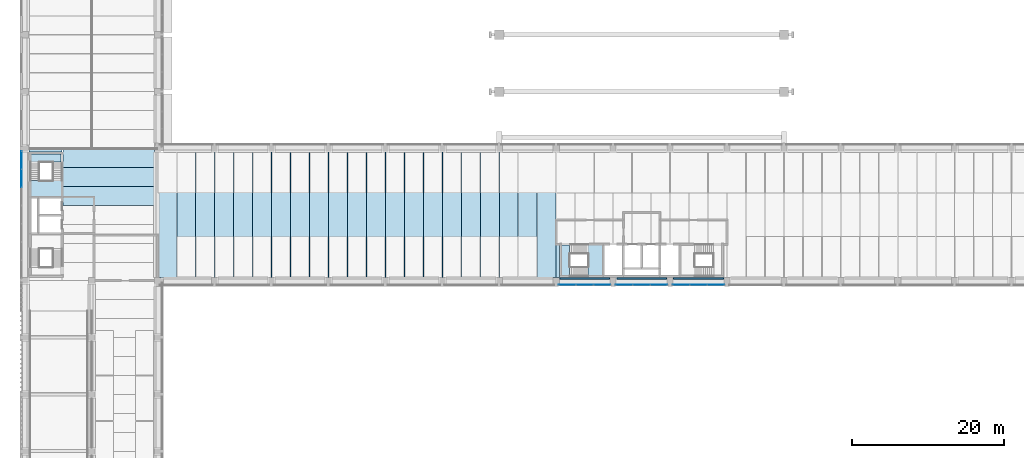
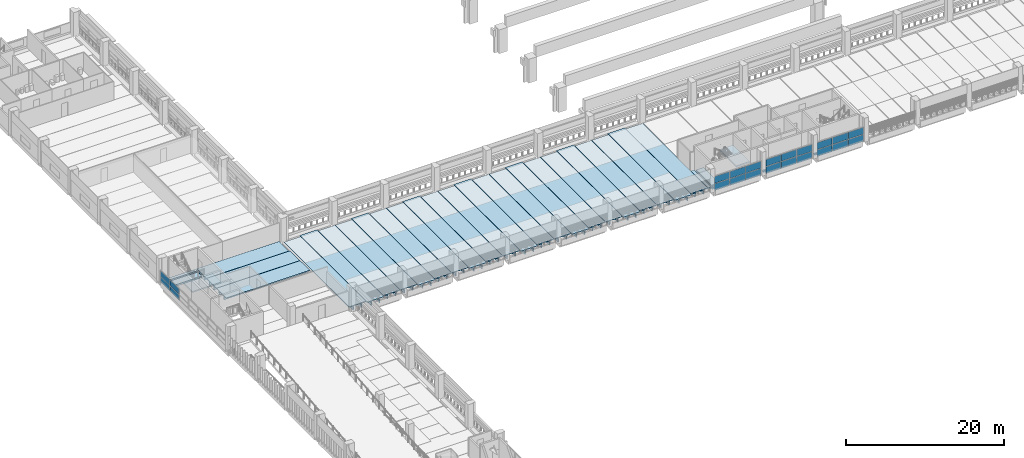
# One storey, part 26 of 61: 33 slabs, 22 plates, 6 elements without a shape of their own.
"""IFC4 building model written with IfcOpenShell, lengths in metres."""

from ifc_helpers import new_model, si_unit, direction, frame, origin, origin_2d, place, context, subcontext, project, spatial, polyline, rectangle, outline, extrude, material, layer, layer_set, material_profile, profile_set, type_object, element, aggregate, save


model = new_model("IFC4")

# Units and contexts
model_context = context("Model", 3, precision=1e-05, world=origin(), true_north=direction((0.0, 1.0)))
body_context = subcontext(model_context, "Body", "Model", "MODEL_VIEW")
ifc_project = project(units=[si_unit("LENGTHUNIT", "METRE"), si_unit("AREAUNIT", "SQUARE_METRE"), si_unit("VOLUMEUNIT", "CUBIC_METRE"), si_unit("PLANEANGLEUNIT", "RADIAN"), si_unit("MASSUNIT", "GRAM", prefix="KILO")], contexts=[model_context])

# Site, building, storey
site_placement = place(None, origin())
site = spatial("IfcSite", under=ifc_project, at=site_placement, CompositionType="ELEMENT")
building_placement = place(site_placement, origin())
building = spatial("IfcBuilding", under=site, at=building_placement, Name="Cour d'Honneur Mobility Palace", CompositionType="ELEMENT")
storey_placement = place(building_placement, frame((0.0, 0.0, 11.89990234375)))
storey = spatial("IfcBuildingStorey", under=building, at=storey_placement, Name="L03", CompositionType="ELEMENT", Elevation=11.89990234375)

# Slabs
ifc_material_1 = material(Name="Concrete C50", Category="concrete")
ifc_layer_1 = layer(ifc_material_1, 0.25)
ifc_layer_set_1 = layer_set([ifc_layer_1], Name="Concrete C50")
slab_type_1 = type_object("IfcSlabType", Name="Cast-in-place Slab 250", PredefinedType="FLOOR", material=ifc_layer_set_1)
slab_1_placement = place(storey_placement, frame((0.0, 0.0, -0.25)))
element("IfcSlab", 1, at=slab_1_placement, inside=storey, type_object=slab_type_1, Name="Cast-in-place slab S1 L03 core", PredefinedType="FLOOR", context=body_context, shape_type="SweptSolid", body=[
    extrude(outline(polyline([(0.449951171875, 61.949951171875), (0.449951171875, 62.39990234375), (4.800048828125, 62.39990234375), (4.800048828125, 61.949951171875), (0.449951171875, 61.949951171875)])), origin(), (0.0, 0.0, 1.0), 0.25),
])
slab_2_placement = place(storey_placement, frame((0.0, 0.0, -0.25)))
element("IfcSlab", 2, at=slab_2_placement, inside=storey, type_object=slab_type_1, Name="Cast-in-place slab S1 L03 core", PredefinedType="FLOOR", context=body_context, shape_type="SweptSolid", body=[
    extrude(outline(polyline([(4.675048828125, 60.625), (0.699951171875, 60.625), (0.699951171875, 61.699951171875), (4.675048828125, 61.699951171875), (4.675048828125, 60.625)])), origin(), (0.0, 0.0, 1.0), 0.25),
])
slab_3_placement = place(storey_placement, frame((0.0, 0.0, -0.25)))
element("IfcSlab", 3, at=slab_3_placement, inside=storey, type_object=slab_type_1, Name="Cast-in-place slab S1 L03 core", PredefinedType="FLOOR", context=body_context, shape_type="SweptSolid", body=[
    extrude(outline(polyline([(70.35009765625, 49.800048828125), (70.35009765625, 45.449951171875), (69.89990234375, 45.449951171875), (69.89990234375, 49.800048828125), (70.35009765625, 49.800048828125)])), origin(), (0.0, 0.0, 1.0), 0.25),
])
slab_4_placement = place(storey_placement, frame((0.0, 0.0, -0.25)))
element("IfcSlab", 4, at=slab_4_placement, inside=storey, type_object=slab_type_1, Name="Cast-in-place slab S1 L03 core", PredefinedType="FLOOR", context=body_context, shape_type="SweptSolid", body=[
    extrude(outline(polyline([(85.35009765625, 45.449951171875), (91.949951171875, 45.449951171875), (91.949951171875, 45.199951171875), (85.35009765625, 45.199951171875), (85.35009765625, 45.449951171875)])), origin(), (0.0, 0.0, 1.0), 0.25),
])
slab_5_placement = place(storey_placement, frame((0.0, 0.0, -0.25)))
element("IfcSlab", 5, at=slab_5_placement, inside=storey, type_object=slab_type_1, Name="Cast-in-place slab S1 L03 core", PredefinedType="FLOOR", context=body_context, shape_type="SweptSolid", body=[
    extrude(outline(polyline([(84.449951171875, 45.199951171875), (77.85009765625, 45.199951171875), (77.85009765625, 45.449951171875), (84.449951171875, 45.449951171875), (84.449951171875, 45.199951171875)])), origin(), (0.0, 0.0, 1.0), 0.25),
])
slab_6_placement = place(storey_placement, frame((0.0, 0.0, -0.25)))
element("IfcSlab", 6, at=slab_6_placement, inside=storey, type_object=slab_type_1, Name="Cast-in-place slab S1 L03 core", PredefinedType="FLOOR", context=body_context, shape_type="SweptSolid", body=[
    extrude(outline(polyline([(70.35009765625, 45.449951171875), (76.949951171875, 45.449951171875), (76.949951171875, 45.199951171875), (70.35009765625, 45.199951171875), (70.35009765625, 45.449951171875)])), origin(), (0.0, 0.0, 1.0), 0.25),
])
slab_7_placement = place(storey_placement, frame((0.0, 0.0, -0.25)))
element("IfcSlab", 7, at=slab_7_placement, inside=storey, type_object=slab_type_1, Name="Cast-in-place slab S1 L03 core", PredefinedType="FLOOR", context=body_context, shape_type="SweptSolid", body=[
    extrude(outline(polyline([(71.675048828125, 49.675048828125), (71.675048828125, 45.699951171875), (70.60009765625, 45.699951171875), (70.60009765625, 49.675048828125), (71.675048828125, 49.675048828125)])), origin(), (0.0, 0.0, 1.0), 0.25),
])

# Curtain wall, plates
ifc_material_2 = material(Name="Aluminium and glass", Category="aluminium")
ifc_layer_2 = layer(ifc_material_2, 0.10009765625)
ifc_layer_set_2 = layer_set([ifc_layer_2], Name="Aluminium and glass")
curtain_wall_type = type_object("IfcCurtainWallType", Name="Curtain wall run", PredefinedType="NOTDEFINED", material=ifc_layer_set_2)
curtain_wall_1_placement = place(storey_placement, origin())
curtain_wall_1 = element("IfcCurtainWall", 8, at=curtain_wall_1_placement, inside=storey, type_object=curtain_wall_type, Name="Curtain wall CW-78", PredefinedType="NOTDEFINED")
ifc_material_3 = material(Name="Double glazing", Category="glass")
ifc_layer_3 = layer(ifc_material_3, 0.028076171875)
ifc_layer_set_3 = layer_set([ifc_layer_3], Name="Double glazing")
plate_type = type_object("IfcPlateType", Name="Curtain wall panel", PredefinedType="CURTAIN_PANEL", material=ifc_layer_set_3)
plate_1_placement = place(storey_placement, frame((71.364990234375, 44.449951171875, 0.06005859375), z_axis=(0.0, 0.0, 1.0), x_axis=(1.0, 0.0, 0.0)))
plate_1 = element("IfcPlate", 9, at=plate_1_placement, type_object=plate_type, Name="CW-78 panel 1.1", PredefinedType="CURTAIN_PANEL", context=body_context, shape_type="SweptSolid", body=[
    extrude(rectangle(XDim=2.2099609375, YDim=0.028076171875, at=origin_2d()), origin(), (0.0, 0.0, 1.0), 1.06005859375),
])
plate_2_placement = place(storey_placement, frame((71.364990234375, 44.449951171875, 1.18017578125), z_axis=(0.0, 0.0, 1.0), x_axis=(1.0, 0.0, 0.0)))
plate_2 = element("IfcPlate", 10, at=plate_2_placement, type_object=plate_type, Name="CW-78 panel 1.2", PredefinedType="CURTAIN_PANEL", context=body_context, shape_type="SweptSolid", body=[
    extrude(rectangle(XDim=2.2099609375, YDim=0.028076171875, at=origin_2d()), origin(), (0.0, 0.0, 1.0), 1.06005859375),
])
plate_3_placement = place(storey_placement, frame((73.64990234375, 44.449951171875, 0.06005859375), z_axis=(0.0, 0.0, 1.0), x_axis=(1.0, 0.0, 0.0)))
plate_3 = element("IfcPlate", 11, at=plate_3_placement, type_object=plate_type, Name="CW-78 panel 2.1", PredefinedType="CURTAIN_PANEL", context=body_context, shape_type="SweptSolid", body=[
    extrude(rectangle(XDim=2.239990234375, YDim=0.028076171875, at=origin_2d()), origin(), (0.0, 0.0, 1.0), 1.06005859375),
])
plate_4_placement = place(storey_placement, frame((73.64990234375, 44.449951171875, 1.18017578125), z_axis=(0.0, 0.0, 1.0), x_axis=(1.0, 0.0, 0.0)))
plate_4 = element("IfcPlate", 12, at=plate_4_placement, type_object=plate_type, Name="CW-78 panel 2.2", PredefinedType="CURTAIN_PANEL", context=body_context, shape_type="SweptSolid", body=[
    extrude(rectangle(XDim=2.239990234375, YDim=0.028076171875, at=origin_2d()), origin(), (0.0, 0.0, 1.0), 1.06005859375),
])
plate_5_placement = place(storey_placement, frame((75.93505859375, 44.449951171875, 0.06005859375), z_axis=(0.0, 0.0, 1.0), x_axis=(1.0, 0.0, 0.0)))
plate_5 = element("IfcPlate", 13, at=plate_5_placement, type_object=plate_type, Name="CW-78 panel 3.1", PredefinedType="CURTAIN_PANEL", context=body_context, shape_type="SweptSolid", body=[
    extrude(rectangle(XDim=2.2099609375, YDim=0.028076171875, at=origin_2d()), origin(), (0.0, 0.0, 1.0), 1.06005859375),
])
plate_6_placement = place(storey_placement, frame((75.93505859375, 44.449951171875, 1.18017578125), z_axis=(0.0, 0.0, 1.0), x_axis=(1.0, 0.0, 0.0)))
plate_6 = element("IfcPlate", 14, at=plate_6_placement, type_object=plate_type, Name="CW-78 panel 3.2", PredefinedType="CURTAIN_PANEL", context=body_context, shape_type="SweptSolid", body=[
    extrude(rectangle(XDim=2.2099609375, YDim=0.028076171875, at=origin_2d()), origin(), (0.0, 0.0, 1.0), 1.06005859375),
])
aggregate(curtain_wall_1, [plate_1, plate_2, plate_3, plate_4, plate_5, plate_6])

curtain_wall_2_placement = place(storey_placement, origin())
curtain_wall_2 = element("IfcCurtainWall", 15, at=curtain_wall_2_placement, inside=storey, type_object=curtain_wall_type, Name="Curtain wall CW-79", PredefinedType="NOTDEFINED")
plate_7_placement = place(storey_placement, frame((78.864990234375, 44.449951171875, 0.06005859375), z_axis=(0.0, 0.0, 1.0), x_axis=(1.0, 0.0, 0.0)))
plate_7 = element("IfcPlate", 16, at=plate_7_placement, type_object=plate_type, Name="CW-79 panel 1.1", PredefinedType="CURTAIN_PANEL", context=body_context, shape_type="SweptSolid", body=[
    extrude(rectangle(XDim=2.2099609375, YDim=0.028076171875, at=origin_2d()), origin(), (0.0, 0.0, 1.0), 1.06005859375),
])
plate_8_placement = place(storey_placement, frame((78.864990234375, 44.449951171875, 1.18017578125), z_axis=(0.0, 0.0, 1.0), x_axis=(1.0, 0.0, 0.0)))
plate_8 = element("IfcPlate", 17, at=plate_8_placement, type_object=plate_type, Name="CW-79 panel 1.2", PredefinedType="CURTAIN_PANEL", context=body_context, shape_type="SweptSolid", body=[
    extrude(rectangle(XDim=2.2099609375, YDim=0.028076171875, at=origin_2d()), origin(), (0.0, 0.0, 1.0), 1.06005859375),
])
plate_9_placement = place(storey_placement, frame((81.14990234375, 44.449951171875, 0.06005859375), z_axis=(0.0, 0.0, 1.0), x_axis=(1.0, 0.0, 0.0)))
plate_9 = element("IfcPlate", 18, at=plate_9_placement, type_object=plate_type, Name="CW-79 panel 2.1", PredefinedType="CURTAIN_PANEL", context=body_context, shape_type="SweptSolid", body=[
    extrude(rectangle(XDim=2.239990234375, YDim=0.028076171875, at=origin_2d()), origin(), (0.0, 0.0, 1.0), 1.06005859375),
])
plate_10_placement = place(storey_placement, frame((81.14990234375, 44.449951171875, 1.18017578125), z_axis=(0.0, 0.0, 1.0), x_axis=(1.0, 0.0, 0.0)))
plate_10 = element("IfcPlate", 19, at=plate_10_placement, type_object=plate_type, Name="CW-79 panel 2.2", PredefinedType="CURTAIN_PANEL", context=body_context, shape_type="SweptSolid", body=[
    extrude(rectangle(XDim=2.239990234375, YDim=0.028076171875, at=origin_2d()), origin(), (0.0, 0.0, 1.0), 1.06005859375),
])
plate_11_placement = place(storey_placement, frame((83.43505859375, 44.449951171875, 0.06005859375), z_axis=(0.0, 0.0, 1.0), x_axis=(1.0, 0.0, 0.0)))
plate_11 = element("IfcPlate", 20, at=plate_11_placement, type_object=plate_type, Name="CW-79 panel 3.1", PredefinedType="CURTAIN_PANEL", context=body_context, shape_type="SweptSolid", body=[
    extrude(rectangle(XDim=2.2099609375, YDim=0.028076171875, at=origin_2d()), origin(), (0.0, 0.0, 1.0), 1.06005859375),
])
plate_12_placement = place(storey_placement, frame((83.43505859375, 44.449951171875, 1.18017578125), z_axis=(0.0, 0.0, 1.0), x_axis=(1.0, 0.0, 0.0)))
plate_12 = element("IfcPlate", 21, at=plate_12_placement, type_object=plate_type, Name="CW-79 panel 3.2", PredefinedType="CURTAIN_PANEL", context=body_context, shape_type="SweptSolid", body=[
    extrude(rectangle(XDim=2.2099609375, YDim=0.028076171875, at=origin_2d()), origin(), (0.0, 0.0, 1.0), 1.06005859375),
])
aggregate(curtain_wall_2, [plate_7, plate_8, plate_9, plate_10, plate_11, plate_12])

curtain_wall_3_placement = place(storey_placement, origin())
curtain_wall_3 = element("IfcCurtainWall", 22, at=curtain_wall_3_placement, inside=storey, type_object=curtain_wall_type, Name="Curtain wall CW-80", PredefinedType="NOTDEFINED")
plate_13_placement = place(storey_placement, frame((86.364990234375, 44.449951171875, 0.06005859375), z_axis=(0.0, 0.0, 1.0), x_axis=(1.0, 0.0, 0.0)))
plate_13 = element("IfcPlate", 23, at=plate_13_placement, type_object=plate_type, Name="CW-80 panel 1.1", PredefinedType="CURTAIN_PANEL", context=body_context, shape_type="SweptSolid", body=[
    extrude(rectangle(XDim=2.2099609375, YDim=0.028076171875, at=origin_2d()), origin(), (0.0, 0.0, 1.0), 1.06005859375),
])
plate_14_placement = place(storey_placement, frame((86.364990234375, 44.449951171875, 1.18017578125), z_axis=(0.0, 0.0, 1.0), x_axis=(1.0, 0.0, 0.0)))
plate_14 = element("IfcPlate", 24, at=plate_14_placement, type_object=plate_type, Name="CW-80 panel 1.2", PredefinedType="CURTAIN_PANEL", context=body_context, shape_type="SweptSolid", body=[
    extrude(rectangle(XDim=2.2099609375, YDim=0.028076171875, at=origin_2d()), origin(), (0.0, 0.0, 1.0), 1.06005859375),
])
plate_15_placement = place(storey_placement, frame((88.64990234375, 44.449951171875, 0.06005859375), z_axis=(0.0, 0.0, 1.0), x_axis=(1.0, 0.0, 0.0)))
plate_15 = element("IfcPlate", 25, at=plate_15_placement, type_object=plate_type, Name="CW-80 panel 2.1", PredefinedType="CURTAIN_PANEL", context=body_context, shape_type="SweptSolid", body=[
    extrude(rectangle(XDim=2.239990234375, YDim=0.028076171875, at=origin_2d()), origin(), (0.0, 0.0, 1.0), 1.06005859375),
])
plate_16_placement = place(storey_placement, frame((88.64990234375, 44.449951171875, 1.18017578125), z_axis=(0.0, 0.0, 1.0), x_axis=(1.0, 0.0, 0.0)))
plate_16 = element("IfcPlate", 26, at=plate_16_placement, type_object=plate_type, Name="CW-80 panel 2.2", PredefinedType="CURTAIN_PANEL", context=body_context, shape_type="SweptSolid", body=[
    extrude(rectangle(XDim=2.239990234375, YDim=0.028076171875, at=origin_2d()), origin(), (0.0, 0.0, 1.0), 1.06005859375),
])
plate_17_placement = place(storey_placement, frame((90.93505859375, 44.449951171875, 0.06005859375), z_axis=(0.0, 0.0, 1.0), x_axis=(1.0, 0.0, 0.0)))
plate_17 = element("IfcPlate", 27, at=plate_17_placement, type_object=plate_type, Name="CW-80 panel 3.1", PredefinedType="CURTAIN_PANEL", context=body_context, shape_type="SweptSolid", body=[
    extrude(rectangle(XDim=2.2099609375, YDim=0.028076171875, at=origin_2d()), origin(), (0.0, 0.0, 1.0), 1.06005859375),
])
plate_18_placement = place(storey_placement, frame((90.93505859375, 44.449951171875, 1.18017578125), z_axis=(0.0, 0.0, 1.0), x_axis=(1.0, 0.0, 0.0)))
plate_18 = element("IfcPlate", 28, at=plate_18_placement, type_object=plate_type, Name="CW-80 panel 3.2", PredefinedType="CURTAIN_PANEL", context=body_context, shape_type="SweptSolid", body=[
    extrude(rectangle(XDim=2.2099609375, YDim=0.028076171875, at=origin_2d()), origin(), (0.0, 0.0, 1.0), 1.06005859375),
])
aggregate(curtain_wall_3, [plate_13, plate_14, plate_15, plate_16, plate_17, plate_18])

curtain_wall_4_placement = place(storey_placement, origin())
curtain_wall_4 = element("IfcCurtainWall", 29, at=curtain_wall_4_placement, inside=storey, type_object=curtain_wall_type, Name="Curtain wall CW-102", PredefinedType="NOTDEFINED")
plate_19_placement = place(storey_placement, frame((-0.550048828125, 60.885009765625, 0.06005859375), z_axis=(0.0, 0.0, 1.0), x_axis=(0.0, -1.0, 0.0)))
plate_19 = element("IfcPlate", 30, at=plate_19_placement, type_object=plate_type, Name="CW-102 panel 1.1", PredefinedType="CURTAIN_PANEL", context=body_context, shape_type="SweptSolid", body=[
    extrude(rectangle(XDim=2.31005859375, YDim=0.028076171875, at=origin_2d()), origin(), (0.0, 0.0, 1.0), 0.860107421875),
])
plate_20_placement = place(storey_placement, frame((-0.550048828125, 60.885009765625, 0.97998046875), z_axis=(0.0, 0.0, 1.0), x_axis=(0.0, -1.0, 0.0)))
plate_20 = element("IfcPlate", 31, at=plate_20_placement, type_object=plate_type, Name="CW-102 panel 1.2", PredefinedType="CURTAIN_PANEL", context=body_context, shape_type="SweptSolid", body=[
    extrude(rectangle(XDim=2.31005859375, YDim=0.028076171875, at=origin_2d()), origin(), (0.0, 0.0, 1.0), 0.860107421875),
])
plate_21_placement = place(storey_placement, frame((-0.550048828125, 58.5, 0.06005859375), z_axis=(0.0, 0.0, 1.0), x_axis=(0.0, -1.0, 0.0)))
plate_21 = element("IfcPlate", 32, at=plate_21_placement, type_object=plate_type, Name="CW-102 panel 2.1", PredefinedType="CURTAIN_PANEL", context=body_context, shape_type="SweptSolid", body=[
    extrude(rectangle(XDim=2.340087890625, YDim=0.028076171875, at=origin_2d()), origin(), (0.0, 0.0, 1.0), 0.860107421875),
])
plate_22_placement = place(storey_placement, frame((-0.550048828125, 58.5, 0.97998046875), z_axis=(0.0, 0.0, 1.0), x_axis=(0.0, -1.0, 0.0)))
plate_22 = element("IfcPlate", 33, at=plate_22_placement, type_object=plate_type, Name="CW-102 panel 2.2", PredefinedType="CURTAIN_PANEL", context=body_context, shape_type="SweptSolid", body=[
    extrude(rectangle(XDim=2.340087890625, YDim=0.028076171875, at=origin_2d()), origin(), (0.0, 0.0, 1.0), 0.860107421875),
])
aggregate(curtain_wall_4, [plate_19, plate_20, plate_21, plate_22])

# Slabs
ifc_material_4 = material(Name="Concrete C45", Category="concrete")
ifc_material_profile_1 = material_profile(ifc_material_4, outline(polyline([(-1.2451171875, 0.0), (1.2451171875, 0.0), (1.2451171875, -0.10009765625), (0.679931640625, -0.10009765625), (0.64990234375, -0.64990234375), (0.550048828125, -0.64990234375), (0.52001953125, -0.10009765625), (-0.52001953125, -0.10009765625), (-0.550048828125, -0.64990234375), (-0.64990234375, -0.64990234375), (-0.679931640625, -0.10009765625), (-1.2451171875, -0.10009765625), (-1.2451171875, 0.0)])), Name="DT 2490x650")
ifc_profile_set_1 = profile_set([ifc_material_profile_1], Name="Concrete C45")
slab_type_2 = type_object("IfcSlabType", Name="DT 2490x650", PredefinedType="FLOOR", material=ifc_profile_set_1)
for number, where, z_axis, x_axis, name in (
    (34, (4.925048828125, 56.14990234375, 0.0), (1.0, 0.0, 0.0), (0.0, 1.0, 0.0), "Double tee DT-JW4 L03"),
    (35, (4.925048828125, 58.64990234375, 0.0), (1.0, 0.0, 0.0), (0.0, 1.0, 0.0), "Double tee DT-JW5 L03"),
):
    element("IfcSlab", number, at=place(storey_placement, frame(where, z_axis=z_axis, x_axis=x_axis)), inside=storey, type_object=slab_type_2, Name=name, PredefinedType="FLOOR", context=body_context, shape_type="SweptSolid", body=[
        extrude(outline(polyline([(-1.2451171875, 0.0), (1.2451171875, 0.0), (1.2451171875, -0.10009765625), (0.679931640625, -0.10009765625), (0.64990234375, -0.64990234375), (0.550048828125, -0.64990234375), (0.52001953125, -0.10009765625), (-0.52001953125, -0.10009765625), (-0.550048828125, -0.64990234375), (-0.64990234375, -0.64990234375), (-0.679931640625, -0.10009765625), (-1.2451171875, -0.10009765625), (-1.2451171875, 0.0)])), origin(), (0.0, 0.0, 1.0), 12.224853515625),
    ])
slab_8_placement = place(storey_placement, frame((4.925048828125, 61.14990234375, 0.0), z_axis=(1.0, 0.0, 0.0), x_axis=(0.0, 1.0, 0.0)))
element("IfcSlab", 36, at=slab_8_placement, inside=storey, type_object=slab_type_2, Name="Double tee DT-JW6 L03", PredefinedType="FLOOR", context=body_context, shape_type="SweptSolid", body=[
    extrude(outline(polyline([(-1.2451171875, 0.0), (1.2451171875, 0.0), (1.2451171875, -0.10009765625), (0.679931640625, -0.10009765625), (0.64990234375, -0.64990234375), (0.550048828125, -0.64990234375), (0.52001953125, -0.10009765625), (-0.52001953125, -0.10009765625), (-0.550048828125, -0.64990234375), (-0.64990234375, -0.64990234375), (-0.679931640625, -0.10009765625), (-1.2451171875, -0.10009765625), (-1.2451171875, 0.0)])), origin(), (0.0, 0.0, 1.0), 12.02490234375),
])
ifc_material_5 = material(Name="Concrete C45", Category="concrete")
ifc_material_profile_2 = material_profile(ifc_material_5, outline(polyline([(-1.2451171875, 0.0), (1.2451171875, 0.0), (1.2451171875, -0.10009765625), (0.679931640625, -0.10009765625), (0.64990234375, -0.75), (0.550048828125, -0.75), (0.52001953125, -0.10009765625), (-0.52001953125, -0.10009765625), (-0.550048828125, -0.75), (-0.64990234375, -0.75), (-0.679931640625, -0.10009765625), (-1.2451171875, -0.10009765625), (-1.2451171875, 0.0)])), Name="DT 2490x750")
ifc_profile_set_2 = profile_set([ifc_material_profile_2], Name="Concrete C45")
slab_type_3 = type_object("IfcSlabType", Name="DT 2490x750", PredefinedType="FLOOR", material=ifc_profile_set_2)
slab_9_placement = place(storey_placement, frame((18.64990234375, 45.449951171875, 0.0), z_axis=(0.0, 1.0, 0.0), x_axis=(-1.0, 0.0, 0.0)))
element("IfcSlab", 37, at=slab_9_placement, inside=storey, type_object=slab_type_3, Name="Double tee DT-C1 L03", PredefinedType="FLOOR", context=body_context, shape_type="SweptSolid", body=[
    extrude(outline(polyline([(-1.2451171875, 0.0), (1.2451171875, 0.0), (1.2451171875, -0.10009765625), (0.679931640625, -0.10009765625), (0.64990234375, -0.75), (0.550048828125, -0.75), (0.52001953125, -0.10009765625), (-0.52001953125, -0.10009765625), (-0.550048828125, -0.75), (-0.64990234375, -0.75), (-0.679931640625, -0.10009765625), (-1.2451171875, -0.10009765625), (-1.2451171875, 0.0)])), origin(), (0.0, 0.0, 1.0), 16.5),
])
slab_10_placement = place(storey_placement, frame((21.14990234375, 45.199951171875, 0.0), z_axis=(0.0, 1.0, 0.0), x_axis=(-1.0, 0.0, 0.0)))
element("IfcSlab", 38, at=slab_10_placement, inside=storey, type_object=slab_type_3, Name="Double tee DT-C2 L03", PredefinedType="FLOOR", context=body_context, shape_type="SweptSolid", body=[
    extrude(outline(polyline([(-1.2451171875, 0.0), (1.2451171875, 0.0), (1.2451171875, -0.10009765625), (0.679931640625, -0.10009765625), (0.64990234375, -0.75), (0.550048828125, -0.75), (0.52001953125, -0.10009765625), (-0.52001953125, -0.10009765625), (-0.550048828125, -0.75), (-0.64990234375, -0.75), (-0.679931640625, -0.10009765625), (-1.2451171875, -0.10009765625), (-1.2451171875, 0.0)])), origin(), (0.0, 0.0, 1.0), 17.0),
])
for number, where, z_axis, x_axis, name in (
    (39, (23.64990234375, 45.449951171875, 0.0), (0.0, 1.0, 0.0), (-1.0, 0.0, 0.0), "Double tee DT-C3 L03"),
    (40, (26.14990234375, 45.449951171875, 0.0), (0.0, 1.0, 0.0), (-1.0, 0.0, 0.0), "Double tee DT-C4 L03"),
):
    element("IfcSlab", number, at=place(storey_placement, frame(where, z_axis=z_axis, x_axis=x_axis)), inside=storey, type_object=slab_type_3, Name=name, PredefinedType="FLOOR", context=body_context, shape_type="SweptSolid", body=[
        extrude(outline(polyline([(-1.2451171875, 0.0), (1.2451171875, 0.0), (1.2451171875, -0.10009765625), (0.679931640625, -0.10009765625), (0.64990234375, -0.75), (0.550048828125, -0.75), (0.52001953125, -0.10009765625), (-0.52001953125, -0.10009765625), (-0.550048828125, -0.75), (-0.64990234375, -0.75), (-0.679931640625, -0.10009765625), (-1.2451171875, -0.10009765625), (-1.2451171875, 0.0)])), origin(), (0.0, 0.0, 1.0), 16.5),
    ])
slab_11_placement = place(storey_placement, frame((28.64990234375, 45.199951171875, 0.0), z_axis=(0.0, 1.0, 0.0), x_axis=(-1.0, 0.0, 0.0)))
element("IfcSlab", 41, at=slab_11_placement, inside=storey, type_object=slab_type_3, Name="Double tee DT-C5 L03", PredefinedType="FLOOR", context=body_context, shape_type="SweptSolid", body=[
    extrude(outline(polyline([(-1.2451171875, 0.0), (1.2451171875, 0.0), (1.2451171875, -0.10009765625), (0.679931640625, -0.10009765625), (0.64990234375, -0.75), (0.550048828125, -0.75), (0.52001953125, -0.10009765625), (-0.52001953125, -0.10009765625), (-0.550048828125, -0.75), (-0.64990234375, -0.75), (-0.679931640625, -0.10009765625), (-1.2451171875, -0.10009765625), (-1.2451171875, 0.0)])), origin(), (0.0, 0.0, 1.0), 17.0),
])
for number, where, z_axis, x_axis, name in (
    (42, (31.14990234375, 45.449951171875, 0.0), (0.0, 1.0, 0.0), (-1.0, 0.0, 0.0), "Double tee DT-C6 L03"),
    (43, (33.64990234375, 45.449951171875, 0.0), (0.0, 1.0, 0.0), (-1.0, 0.0, 0.0), "Double tee DT-C7 L03"),
):
    element("IfcSlab", number, at=place(storey_placement, frame(where, z_axis=z_axis, x_axis=x_axis)), inside=storey, type_object=slab_type_3, Name=name, PredefinedType="FLOOR", context=body_context, shape_type="SweptSolid", body=[
        extrude(outline(polyline([(-1.2451171875, 0.0), (1.2451171875, 0.0), (1.2451171875, -0.10009765625), (0.679931640625, -0.10009765625), (0.64990234375, -0.75), (0.550048828125, -0.75), (0.52001953125, -0.10009765625), (-0.52001953125, -0.10009765625), (-0.550048828125, -0.75), (-0.64990234375, -0.75), (-0.679931640625, -0.10009765625), (-1.2451171875, -0.10009765625), (-1.2451171875, 0.0)])), origin(), (0.0, 0.0, 1.0), 16.5),
    ])
slab_12_placement = place(storey_placement, frame((36.14990234375, 45.199951171875, 0.0), z_axis=(0.0, 1.0, 0.0), x_axis=(-1.0, 0.0, 0.0)))
element("IfcSlab", 44, at=slab_12_placement, inside=storey, type_object=slab_type_3, Name="Double tee DT-C8 L03", PredefinedType="FLOOR", context=body_context, shape_type="SweptSolid", body=[
    extrude(outline(polyline([(-1.2451171875, 0.0), (1.2451171875, 0.0), (1.2451171875, -0.10009765625), (0.679931640625, -0.10009765625), (0.64990234375, -0.75), (0.550048828125, -0.75), (0.52001953125, -0.10009765625), (-0.52001953125, -0.10009765625), (-0.550048828125, -0.75), (-0.64990234375, -0.75), (-0.679931640625, -0.10009765625), (-1.2451171875, -0.10009765625), (-1.2451171875, 0.0)])), origin(), (0.0, 0.0, 1.0), 17.0),
])
for number, where, z_axis, x_axis, name in (
    (45, (38.64990234375, 45.449951171875, 0.0), (0.0, 1.0, 0.0), (-1.0, 0.0, 0.0), "Double tee DT-C9 L03"),
    (46, (41.14990234375, 45.449951171875, 0.0), (0.0, 1.0, 0.0), (-1.0, 0.0, 0.0), "Double tee DT-C10 L03"),
):
    element("IfcSlab", number, at=place(storey_placement, frame(where, z_axis=z_axis, x_axis=x_axis)), inside=storey, type_object=slab_type_3, Name=name, PredefinedType="FLOOR", context=body_context, shape_type="SweptSolid", body=[
        extrude(outline(polyline([(-1.2451171875, 0.0), (1.2451171875, 0.0), (1.2451171875, -0.10009765625), (0.679931640625, -0.10009765625), (0.64990234375, -0.75), (0.550048828125, -0.75), (0.52001953125, -0.10009765625), (-0.52001953125, -0.10009765625), (-0.550048828125, -0.75), (-0.64990234375, -0.75), (-0.679931640625, -0.10009765625), (-1.2451171875, -0.10009765625), (-1.2451171875, 0.0)])), origin(), (0.0, 0.0, 1.0), 16.5),
    ])
slab_13_placement = place(storey_placement, frame((43.64990234375, 45.199951171875, 0.0), z_axis=(0.0, 1.0, 0.0), x_axis=(-1.0, 0.0, 0.0)))
element("IfcSlab", 47, at=slab_13_placement, inside=storey, type_object=slab_type_3, Name="Double tee DT-C11 L03", PredefinedType="FLOOR", context=body_context, shape_type="SweptSolid", body=[
    extrude(outline(polyline([(-1.2451171875, 0.0), (1.2451171875, 0.0), (1.2451171875, -0.10009765625), (0.679931640625, -0.10009765625), (0.64990234375, -0.75), (0.550048828125, -0.75), (0.52001953125, -0.10009765625), (-0.52001953125, -0.10009765625), (-0.550048828125, -0.75), (-0.64990234375, -0.75), (-0.679931640625, -0.10009765625), (-1.2451171875, -0.10009765625), (-1.2451171875, 0.0)])), origin(), (0.0, 0.0, 1.0), 17.0),
])
for number, where, z_axis, x_axis, name in (
    (48, (46.14990234375, 45.449951171875, 0.0), (0.0, 1.0, 0.0), (-1.0, 0.0, 0.0), "Double tee DT-C12 L03"),
    (49, (48.64990234375, 45.449951171875, 0.0), (0.0, 1.0, 0.0), (-1.0, 0.0, 0.0), "Double tee DT-C13 L03"),
):
    element("IfcSlab", number, at=place(storey_placement, frame(where, z_axis=z_axis, x_axis=x_axis)), inside=storey, type_object=slab_type_3, Name=name, PredefinedType="FLOOR", context=body_context, shape_type="SweptSolid", body=[
        extrude(outline(polyline([(-1.2451171875, 0.0), (1.2451171875, 0.0), (1.2451171875, -0.10009765625), (0.679931640625, -0.10009765625), (0.64990234375, -0.75), (0.550048828125, -0.75), (0.52001953125, -0.10009765625), (-0.52001953125, -0.10009765625), (-0.550048828125, -0.75), (-0.64990234375, -0.75), (-0.679931640625, -0.10009765625), (-1.2451171875, -0.10009765625), (-1.2451171875, 0.0)])), origin(), (0.0, 0.0, 1.0), 16.5),
    ])
slab_14_placement = place(storey_placement, frame((51.14990234375, 45.199951171875, 0.0), z_axis=(0.0, 1.0, 0.0), x_axis=(-1.0, 0.0, 0.0)))
element("IfcSlab", 50, at=slab_14_placement, inside=storey, type_object=slab_type_3, Name="Double tee DT-C14 L03", PredefinedType="FLOOR", context=body_context, shape_type="SweptSolid", body=[
    extrude(outline(polyline([(-1.2451171875, 0.0), (1.2451171875, 0.0), (1.2451171875, -0.10009765625), (0.679931640625, -0.10009765625), (0.64990234375, -0.75), (0.550048828125, -0.75), (0.52001953125, -0.10009765625), (-0.52001953125, -0.10009765625), (-0.550048828125, -0.75), (-0.64990234375, -0.75), (-0.679931640625, -0.10009765625), (-1.2451171875, -0.10009765625), (-1.2451171875, 0.0)])), origin(), (0.0, 0.0, 1.0), 17.0),
])
for number, where, z_axis, x_axis, name in (
    (51, (53.64990234375, 45.449951171875, 0.0), (0.0, 1.0, 0.0), (-1.0, 0.0, 0.0), "Double tee DT-C15 L03"),
    (52, (56.14990234375, 45.449951171875, 0.0), (0.0, 1.0, 0.0), (-1.0, 0.0, 0.0), "Double tee DT-C16 L03"),
):
    element("IfcSlab", number, at=place(storey_placement, frame(where, z_axis=z_axis, x_axis=x_axis)), inside=storey, type_object=slab_type_3, Name=name, PredefinedType="FLOOR", context=body_context, shape_type="SweptSolid", body=[
        extrude(outline(polyline([(-1.2451171875, 0.0), (1.2451171875, 0.0), (1.2451171875, -0.10009765625), (0.679931640625, -0.10009765625), (0.64990234375, -0.75), (0.550048828125, -0.75), (0.52001953125, -0.10009765625), (-0.52001953125, -0.10009765625), (-0.550048828125, -0.75), (-0.64990234375, -0.75), (-0.679931640625, -0.10009765625), (-1.2451171875, -0.10009765625), (-1.2451171875, 0.0)])), origin(), (0.0, 0.0, 1.0), 16.5),
    ])
slab_15_placement = place(storey_placement, frame((58.64990234375, 45.199951171875, 0.0), z_axis=(0.0, 1.0, 0.0), x_axis=(-1.0, 0.0, 0.0)))
element("IfcSlab", 53, at=slab_15_placement, inside=storey, type_object=slab_type_3, Name="Double tee DT-C17 L03", PredefinedType="FLOOR", context=body_context, shape_type="SweptSolid", body=[
    extrude(outline(polyline([(-1.2451171875, 0.0), (1.2451171875, 0.0), (1.2451171875, -0.10009765625), (0.679931640625, -0.10009765625), (0.64990234375, -0.75), (0.550048828125, -0.75), (0.52001953125, -0.10009765625), (-0.52001953125, -0.10009765625), (-0.550048828125, -0.75), (-0.64990234375, -0.75), (-0.679931640625, -0.10009765625), (-1.2451171875, -0.10009765625), (-1.2451171875, 0.0)])), origin(), (0.0, 0.0, 1.0), 17.0),
])
for number, where, z_axis, x_axis, name in (
    (54, (61.14990234375, 45.449951171875, 0.0), (0.0, 1.0, 0.0), (-1.0, 0.0, 0.0), "Double tee DT-C18 L03"),
    (55, (63.64990234375, 45.449951171875, 0.0), (0.0, 1.0, 0.0), (-1.0, 0.0, 0.0), "Double tee DT-C19 L03"),
):
    element("IfcSlab", number, at=place(storey_placement, frame(where, z_axis=z_axis, x_axis=x_axis)), inside=storey, type_object=slab_type_3, Name=name, PredefinedType="FLOOR", context=body_context, shape_type="SweptSolid", body=[
        extrude(outline(polyline([(-1.2451171875, 0.0), (1.2451171875, 0.0), (1.2451171875, -0.10009765625), (0.679931640625, -0.10009765625), (0.64990234375, -0.75), (0.550048828125, -0.75), (0.52001953125, -0.10009765625), (-0.52001953125, -0.10009765625), (-0.550048828125, -0.75), (-0.64990234375, -0.75), (-0.679931640625, -0.10009765625), (-1.2451171875, -0.10009765625), (-1.2451171875, 0.0)])), origin(), (0.0, 0.0, 1.0), 16.5),
    ])
slab_16_placement = place(storey_placement, frame((66.14990234375, 45.199951171875, 0.0), z_axis=(0.0, 1.0, 0.0), x_axis=(-1.0, 0.0, 0.0)))
element("IfcSlab", 56, at=slab_16_placement, inside=storey, type_object=slab_type_3, Name="Double tee DT-C20 L03", PredefinedType="FLOOR", context=body_context, shape_type="SweptSolid", body=[
    extrude(outline(polyline([(-1.2451171875, 0.0), (1.2451171875, 0.0), (1.2451171875, -0.10009765625), (0.679931640625, -0.10009765625), (0.64990234375, -0.75), (0.550048828125, -0.75), (0.52001953125, -0.10009765625), (-0.52001953125, -0.10009765625), (-0.550048828125, -0.75), (-0.64990234375, -0.75), (-0.679931640625, -0.10009765625), (-1.2451171875, -0.10009765625), (-1.2451171875, 0.0)])), origin(), (0.0, 0.0, 1.0), 17.0),
])
slab_17_placement = place(storey_placement, frame((68.64990234375, 45.449951171875, 0.0), z_axis=(0.0, 1.0, 0.0), x_axis=(-1.0, 0.0, 0.0)))
element("IfcSlab", 57, at=slab_17_placement, inside=storey, type_object=slab_type_3, Name="Double tee DT-C21 L03", PredefinedType="FLOOR", context=body_context, shape_type="SweptSolid", body=[
    extrude(outline(polyline([(-1.2451171875, 0.0), (1.2451171875, 0.0), (1.2451171875, -0.10009765625), (0.679931640625, -0.10009765625), (0.64990234375, -0.75), (0.550048828125, -0.75), (0.52001953125, -0.10009765625), (-0.52001953125, -0.10009765625), (-0.550048828125, -0.75), (-0.64990234375, -0.75), (-0.679931640625, -0.10009765625), (-1.2451171875, -0.10009765625), (-1.2451171875, 0.0)])), origin(), (0.0, 0.0, 1.0), 16.5),
])

# Stair, slab
ifc_material_6 = material(Name="Concrete C50", Category="concrete")
stair_type = type_object("IfcStairType", Name="Stair 20 risers", PredefinedType="HALF_TURN_STAIR", material=ifc_material_6)
stair_1_placement = place(storey_placement, origin())
stair_1 = element("IfcStair", 58, at=stair_1_placement, inside=storey, type_object=stair_type, Name="Stair ST-CW2", PredefinedType="HALF_TURN_STAIR")
ifc_material_7 = material(Name="Concrete C50", Category="concrete")
ifc_layer_4 = layer(ifc_material_7, 0.199951171875)
ifc_layer_set_4 = layer_set([ifc_layer_4], Name="Concrete C50")
slab_type_4 = type_object("IfcSlabType", Name="Stair landing", PredefinedType="LANDING", material=ifc_layer_set_4)
slab_18_placement = place(storey_placement, frame((0.0, 0.0, 1.650146484375)))
slab_18 = element("IfcSlab", 59, at=slab_18_placement, type_object=slab_type_4, Name="ST-CW2 landing 1", PredefinedType="LANDING", context=body_context, shape_type="SweptSolid", body=[
    extrude(outline(polyline([(0.574951171875, 56.0), (4.800048828125, 56.0), (4.800048828125, 58.195068359375), (0.574951171875, 58.195068359375), (0.574951171875, 56.0)])), origin(), (0.0, 0.0, 1.0), 0.199951171875),
])
aggregate(stair_1, [slab_18])

stair_2_placement = place(storey_placement, origin())
stair_2 = element("IfcStair", 60, at=stair_2_placement, inside=storey, type_object=stair_type, Name="Stair ST-CC1", PredefinedType="HALF_TURN_STAIR")
slab_19_placement = place(storey_placement, frame((0.0, 0.0, 1.650146484375)))
slab_19 = element("IfcSlab", 61, at=slab_19_placement, type_object=slab_type_4, Name="ST-CC1 landing 1", PredefinedType="LANDING", context=body_context, shape_type="SweptSolid", body=[
    extrude(outline(polyline([(74.10498046875, 45.574951171875), (76.10009765625, 45.574951171875), (76.10009765625, 49.800048828125), (74.10498046875, 49.800048828125), (74.10498046875, 45.574951171875)])), origin(), (0.0, 0.0, 1.0), 0.199951171875),
])
aggregate(stair_2, [slab_19])

save(model, "model.ifc")
